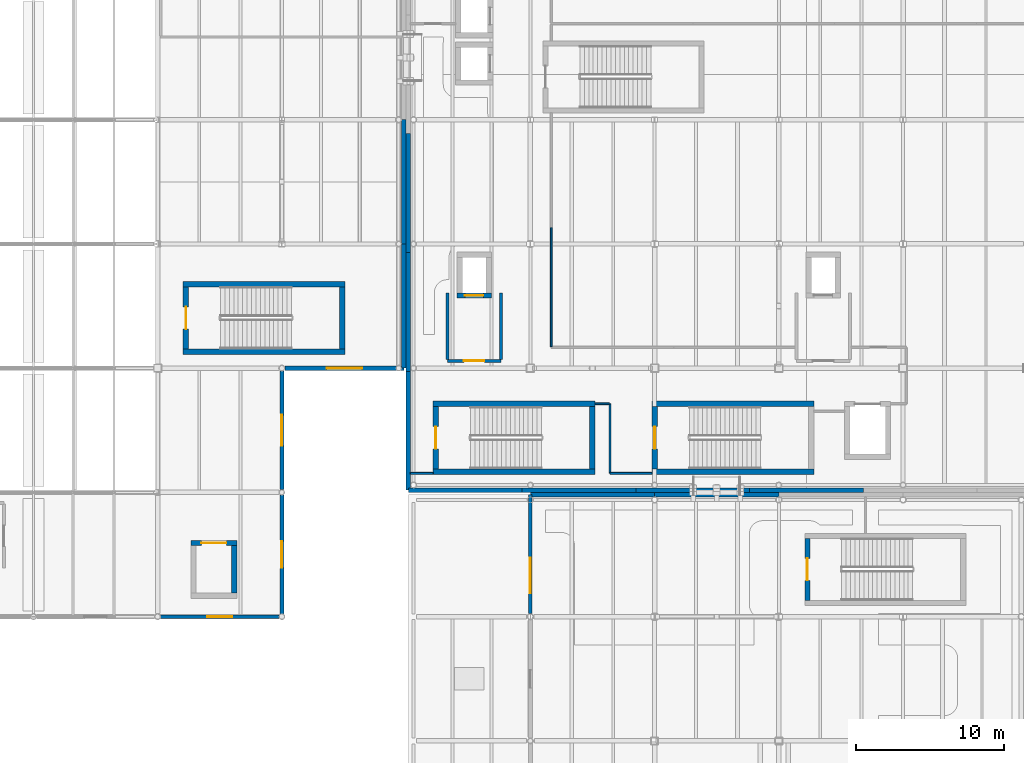
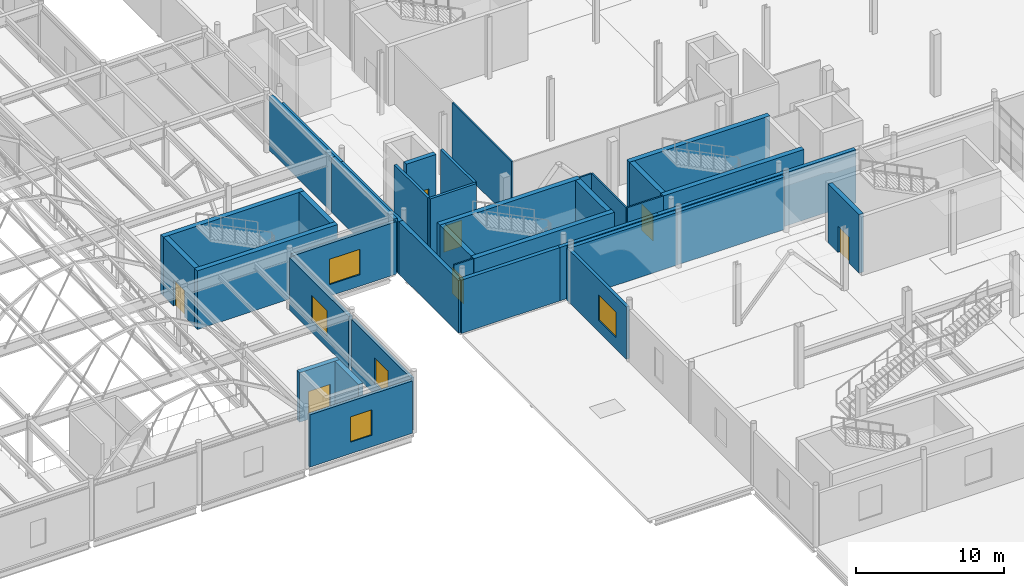
# One storey, part 65 of 103: 39 walls, 7 doors, 5 windows, 12 openings.
"""IFC4 building model written with IfcOpenShell, lengths in metres."""

from ifc_helpers import new_model, si_unit, direction, frame, frame_2d, origin, place, context, subcontext, project, spatial, rectangle, extrude, material, layer, layer_set, type_object, element, fill, save


model = new_model("IFC4")

# Units and contexts
model_context = context("Model", 3, precision=1e-05, world=origin(), true_north=direction((0.0, 1.0)))
body_context = subcontext(model_context, "Body", "Model", "MODEL_VIEW")
ifc_project = project(units=[si_unit("LENGTHUNIT", "METRE"), si_unit("AREAUNIT", "SQUARE_METRE"), si_unit("VOLUMEUNIT", "CUBIC_METRE"), si_unit("PLANEANGLEUNIT", "RADIAN"), si_unit("MASSUNIT", "GRAM", prefix="KILO"), si_unit("THERMODYNAMICTEMPERATUREUNIT", "KELVIN")], contexts=[model_context])

# Site, building, storey
site_placement = place(None, origin())
site = spatial("IfcSite", under=ifc_project, at=site_placement, CompositionType="ELEMENT")
building_placement = place(site_placement, origin())
building = spatial("IfcBuilding", under=site, at=building_placement, Name="Lustrewick Department Store", CompositionType="ELEMENT")
storey_placement = place(building_placement, frame((0.0, 0.0, 16.5)))
storey = spatial("IfcBuildingStorey", under=building, at=storey_placement, Name="L04", CompositionType="ELEMENT", Elevation=16.5)

# Wall, opening, window
ifc_material_1 = material(Name="Precast concrete C40", Category="concrete")
ifc_layer_1 = layer(ifc_material_1, 0.239990234375, Name="Precast concrete C40")
ifc_layer_set_1 = layer_set([ifc_layer_1], Name="Precast concrete C40")
wall_type_1 = type_object("IfcWallType", Name="EW01", PredefinedType="STANDARD", material=ifc_layer_set_1)
wall_1_placement = place(storey_placement, frame((92.597900390625, 42.0, 0.0), z_axis=(0.0, 0.0, 1.0), x_axis=(1.0, 0.0, 0.0)))
wall_1 = element("IfcWall", 1, at=wall_1_placement, inside=storey, type_object=wall_type_1, Name="L04 V2 Exterior Wall EW01", PredefinedType="STANDARD", context=body_context, shape_type="SweptSolid", body=[
    extrude(rectangle(XDim=8.004150390625, YDim=0.239990234375, at=frame_2d((4.001953125, 0.0))), origin(), (0.0, 0.0, 1.0), 4.320068359375),
])
opening_1_placement = place(wall_1_placement, frame((3.162109375, 0.0, 0.949951171875)))
opening_1 = element("IfcOpeningElement", 2, at=opening_1_placement, cuts=wall_1, Name="Opening WN09", PredefinedType="OPENING", context=body_context, shape_type="SweptSolid", body=[
    extrude(rectangle(XDim=1.679931640625, YDim=2.10009765625, at=frame_2d((0.83984375, 1.050048828125))), frame((0.0, 0.1298828125, 0.0), z_axis=(0.0, -1.0, 0.0), x_axis=(1.0, 0.0, 0.0)), (0.0, 0.0, 1.0), 0.260009765625),
])
ifc_material_2 = material(Name="Thermally broken Low-E triple-glazed window", Category="glass")
window_type_1 = type_object("IfcWindowType", Name="WN09", PartitioningType="DOUBLE_PANEL_VERTICAL", PredefinedType="WINDOW", material=ifc_material_2)
window_1_placement = place(opening_1_placement, origin())
window_1 = element("IfcWindow", 3, at=window_1_placement, inside=storey, type_object=window_type_1, Name="L04 Art Nouveau Window WN09", OverallHeight=2.10009765625, OverallWidth=1.679931640625, PartitioningType="SINGLE_PANEL", PredefinedType="WINDOW", context=body_context, shape_type="SweptSolid", body=[
    extrude(rectangle(XDim=1.679931640625, YDim=2.10009765625, at=frame_2d((0.83984375, 1.050048828125))), frame((0.0, 0.030029296875, 0.0), z_axis=(0.0, -1.0, 0.0), x_axis=(1.0, 0.0, 0.0)), (0.0, 0.0, 1.0), 0.06005859375),
])
fill(opening_1, window_1)

wall_2_placement = place(storey_placement, frame((117.60009765625, 50.25, 0.0), z_axis=(0.0, 0.0, 1.0), x_axis=(0.0, -1.0, 0.0)))
wall_2 = element("IfcWall", 4, at=wall_2_placement, inside=storey, type_object=wall_type_1, Name="L04 V3 Exterior Wall EW01", PredefinedType="STANDARD", context=body_context, shape_type="SweptSolid", body=[
    extrude(rectangle(XDim=8.052001953125, YDim=0.239990234375, at=frame_2d((4.02587890625, 0.0))), origin(), (0.0, 0.0, 1.0), 4.320068359375),
])
opening_2_placement = place(wall_2_placement, frame((4.275390625, 0.0, 0.949951171875)))
opening_2 = element("IfcOpeningElement", 5, at=opening_2_placement, cuts=wall_2, Name="Opening WN12", PredefinedType="OPENING", context=body_context, shape_type="SweptSolid", body=[
    extrude(rectangle(XDim=2.39990234375, YDim=2.10009765625, at=frame_2d((1.199951171875, 1.050048828125))), frame((0.0, 0.1298828125, 0.0), z_axis=(0.0, -1.0, 0.0), x_axis=(1.0, 0.0, 0.0)), (0.0, 0.0, 1.0), 0.260009765625),
])
window_type_2 = type_object("IfcWindowType", Name="WN12", PartitioningType="DOUBLE_PANEL_VERTICAL", PredefinedType="WINDOW", material=ifc_material_2)
window_2_placement = place(opening_2_placement, origin())
window_2 = element("IfcWindow", 6, at=window_2_placement, inside=storey, type_object=window_type_2, Name="L04 Art Nouveau Window WN12", OverallHeight=2.10009765625, OverallWidth=2.39990234375, PartitioningType="SINGLE_PANEL", PredefinedType="WINDOW", context=body_context, shape_type="SweptSolid", body=[
    extrude(rectangle(XDim=2.39990234375, YDim=2.10009765625, at=frame_2d((1.199951171875, 1.050048828125))), frame((0.0, 0.030029296875, 0.0), z_axis=(0.0, -1.0, 0.0), x_axis=(1.0, 0.0, 0.0)), (0.0, 0.0, 1.0), 0.06005859375),
])
fill(opening_2, window_2)

ifc_layer_2 = layer(ifc_material_1, 0.260009765625, Name="Precast concrete C40")
ifc_layer_set_2 = layer_set([ifc_layer_2], Name="Precast concrete C40")
wall_type_2 = type_object("IfcWallType", Name="EW02", PredefinedType="STANDARD", material=ifc_layer_set_2)
wall_3_placement = place(storey_placement, frame((100.800048828125, 42.197998046875, 0.0), z_axis=(0.0, 0.0, 1.0), x_axis=(0.0, 1.0, 0.0)))
wall_3 = element("IfcWall", 7, at=wall_3_placement, inside=storey, type_object=wall_type_2, Name="L04 V2 Exterior Wall EW02", PredefinedType="STANDARD", context=body_context, shape_type="SweptSolid", body=[
    extrude(rectangle(XDim=8.0185546875, YDim=0.260009765625, at=frame_2d((4.00927734375, 0.0))), origin(), (0.0, 0.0, 1.0), 4.320068359375),
])
opening_3_placement = place(wall_3_placement, frame((3.109375, 0.0, 0.949951171875)))
opening_3 = element("IfcOpeningElement", 8, at=opening_3_placement, cuts=wall_3, Name="Opening WN10", PredefinedType="OPENING", context=body_context, shape_type="SweptSolid", body=[
    extrude(rectangle(XDim=1.800048828125, YDim=2.10009765625, at=frame_2d((0.89990234375, 1.050048828125))), frame((0.0, 0.14013671875, 0.0), z_axis=(0.0, -1.0, 0.0), x_axis=(1.0, 0.0, 0.0)), (0.0, 0.0, 1.0), 0.280029296875),
])
window_type_3 = type_object("IfcWindowType", Name="WN10", PartitioningType="DOUBLE_PANEL_VERTICAL", PredefinedType="WINDOW", material=ifc_material_2)
window_3_placement = place(opening_3_placement, origin())
window_3 = element("IfcWindow", 9, at=window_3_placement, inside=storey, type_object=window_type_3, Name="L04 Art Nouveau Window WN10", OverallHeight=2.10009765625, OverallWidth=1.800048828125, PartitioningType="SINGLE_PANEL", PredefinedType="WINDOW", context=body_context, shape_type="SweptSolid", body=[
    extrude(rectangle(XDim=1.800048828125, YDim=2.10009765625, at=frame_2d((0.89990234375, 1.050048828125))), frame((0.0, 0.030029296875, 0.0), z_axis=(0.0, -1.0, 0.0), x_axis=(1.0, 0.0, 0.0)), (0.0, 0.0, 1.0), 0.06005859375),
])
fill(opening_3, window_3)

ifc_layer_3 = layer(ifc_material_1, 0.280029296875, Name="Precast concrete C40")
ifc_layer_set_3 = layer_set([ifc_layer_3], Name="Precast concrete C40")
wall_type_3 = type_object("IfcWallType", Name="EW03", PredefinedType="STANDARD", material=ifc_layer_set_3)
wall_4_placement = place(storey_placement, frame((100.800048828125, 50.58349609375, 0.0), z_axis=(0.0, 0.0, 1.0), x_axis=(0.0, 1.0, 0.0)))
wall_4 = element("IfcWall", 10, at=wall_4_placement, inside=storey, type_object=wall_type_3, Name="L04 V2 Exterior Wall EW03", PredefinedType="STANDARD", context=body_context, shape_type="SweptSolid", body=[
    extrude(rectangle(XDim=8.0185546875, YDim=0.280029296875, at=frame_2d((4.00927734375, 0.0))), origin(), (0.0, 0.0, 1.0), 4.3310546875),
])
opening_4_placement = place(wall_4_placement, frame((2.959228515625, 0.0, 0.949951171875)))
opening_4 = element("IfcOpeningElement", 11, at=opening_4_placement, cuts=wall_4, Name="Opening WN11", PredefinedType="OPENING", context=body_context, shape_type="SweptSolid", body=[
    extrude(rectangle(XDim=2.10009765625, YDim=2.10009765625, at=frame_2d((1.050048828125, 1.050048828125))), frame((0.0, 0.14990234375, 0.0), z_axis=(0.0, -1.0, 0.0), x_axis=(1.0, 0.0, 0.0)), (0.0, 0.0, 1.0), 0.300048828125),
])
window_type_4 = type_object("IfcWindowType", Name="WN11", PartitioningType="DOUBLE_PANEL_VERTICAL", PredefinedType="WINDOW", material=ifc_material_2)
window_4_placement = place(opening_4_placement, origin())
window_4 = element("IfcWindow", 12, at=window_4_placement, inside=storey, type_object=window_type_4, Name="L04 Art Nouveau Window WN11", OverallHeight=2.10009765625, OverallWidth=2.10009765625, PartitioningType="SINGLE_PANEL", PredefinedType="WINDOW", context=body_context, shape_type="SweptSolid", body=[
    extrude(rectangle(XDim=2.10009765625, YDim=2.10009765625, at=frame_2d((1.050048828125, 1.050048828125))), frame((0.0, 0.030029296875, 0.0), z_axis=(0.0, -1.0, 0.0), x_axis=(1.0, 0.0, 0.0)), (0.0, 0.0, 1.0), 0.06005859375),
])
fill(opening_4, window_4)

wall_5_placement = place(storey_placement, frame((100.998046875, 58.800048828125, 0.0), z_axis=(0.0, 0.0, 1.0), x_axis=(1.0, 0.0, 0.0)))
wall_5 = element("IfcWall", 13, at=wall_5_placement, inside=storey, type_object=wall_type_3, Name="L04 V2 Exterior Wall EW03", PredefinedType="STANDARD", context=body_context, shape_type="SweptSolid", body=[
    extrude(rectangle(XDim=8.052001953125, YDim=0.280029296875, at=frame_2d((4.02587890625, 0.0))), origin(), (0.0, 0.0, 1.0), 4.3310546875),
])
opening_5_placement = place(wall_5_placement, frame((2.825927734375, 0.0, 0.949951171875)))
opening_5 = element("IfcOpeningElement", 14, at=opening_5_placement, cuts=wall_5, Name="Opening WN12", PredefinedType="OPENING", context=body_context, shape_type="SweptSolid", body=[
    extrude(rectangle(XDim=2.39990234375, YDim=2.10009765625, at=frame_2d((1.199951171875, 1.050048828125))), frame((0.0, 0.14990234375, 0.0), z_axis=(0.0, -1.0, 0.0), x_axis=(1.0, 0.0, 0.0)), (0.0, 0.0, 1.0), 0.300048828125),
])
window_5_placement = place(opening_5_placement, origin())
window_5 = element("IfcWindow", 15, at=window_5_placement, inside=storey, type_object=window_type_2, Name="L04 Art Nouveau Window WN12", OverallHeight=2.10009765625, OverallWidth=2.39990234375, PartitioningType="SINGLE_PANEL", PredefinedType="WINDOW", context=body_context, shape_type="SweptSolid", body=[
    extrude(rectangle(XDim=2.39990234375, YDim=2.10009765625, at=frame_2d((1.199951171875, 1.050048828125))), frame((0.0, 0.030029296875, 0.0), z_axis=(0.0, -1.0, 0.0), x_axis=(1.0, 0.0, 0.0)), (0.0, 0.0, 1.0), 0.06005859375),
])
fill(opening_5, window_5)

# Walls
ifc_layer_4 = layer(ifc_material_1, 0.300048828125, Name="Precast concrete C40")
ifc_layer_set_4 = layer_set([ifc_layer_4], Name="Precast concrete C40")
wall_type_4 = type_object("IfcWallType", Name="EW04", PredefinedType="STANDARD", material=ifc_layer_set_4)
wall_6_placement = place(storey_placement, frame((109.050048828125, 58.800048828125, 0.0), z_axis=(0.0, 0.0, 1.0), x_axis=(0.0, 1.0, 0.0)))
element("IfcWall", 16, at=wall_6_placement, inside=storey, type_object=wall_type_4, Name="L04 V2 Exterior Wall EW04", PredefinedType="STANDARD", context=body_context, shape_type="SweptSolid", body=[
    extrude(rectangle(XDim=8.39990234375, YDim=0.300048828125, at=frame_2d((4.199951171875, 0.0))), origin(), (0.0, 0.0, 1.0), 4.487060546875),
])
wall_7_placement = place(storey_placement, frame((109.050048828125, 67.199951171875, 0.0), z_axis=(0.0, 0.0, 1.0), x_axis=(0.0, 1.0, 0.0)))
element("IfcWall", 17, at=wall_7_placement, inside=storey, type_object=wall_type_4, Name="L04 V2 Exterior Wall EW04", PredefinedType="STANDARD", context=body_context, shape_type="SweptSolid", body=[
    extrude(rectangle(XDim=8.400146484375, YDim=0.300048828125, at=frame_2d((4.2001953125, 0.0))), origin(), (0.0, 0.0, 1.0), 4.487060546875),
])
for number, where, z_axis, x_axis, name in (
    (18, (134.39990234375, 50.25, 0.0), (0.0, 0.0, 1.0), (-1.0, 0.0, 0.0), "L04 V3 Exterior Wall EW04"),
    (19, (126.0, 50.25, 0.0), (0.0, 0.0, 1.0), (-1.0, 0.0, 0.0), "L04 V3 Exterior Wall EW04"),
):
    element("IfcWall", number, at=place(storey_placement, frame(where, z_axis=z_axis, x_axis=x_axis)), inside=storey, type_object=wall_type_4, Name=name, PredefinedType="STANDARD", context=body_context, shape_type="SweptSolid", body=[
        extrude(rectangle(XDim=8.39990234375, YDim=0.300048828125, at=frame_2d((4.199951171875, 0.0))), origin(), (0.0, 0.0, 1.0), 4.3310546875),
    ])
wall_8_placement = place(storey_placement, frame((109.35009765625, 50.550048828125, 0.0), z_axis=(0.0, 0.0, 1.0), x_axis=(1.0, 0.0, 0.0)))
element("IfcWall", 20, at=wall_8_placement, inside=storey, type_object=wall_type_4, Name="L04 V4 Exterior Wall EW04", PredefinedType="STANDARD", context=body_context, shape_type="SweptSolid", body=[
    extrude(rectangle(XDim=7.69287109375, YDim=0.300048828125, at=frame_2d((3.846435546875, 0.0))), origin(), (0.0, 0.0, 1.0), 4.39697265625),
])
wall_9_placement = place(storey_placement, frame((117.04296875, 50.550048828125, 0.0), z_axis=(0.0, 0.0, 1.0), x_axis=(1.0, 0.0, 0.0)))
element("IfcWall", 21, at=wall_9_placement, inside=storey, type_object=wall_type_4, Name="L04 V4 Exterior Wall EW04", PredefinedType="STANDARD", context=body_context, shape_type="SweptSolid", body=[
    extrude(rectangle(XDim=7.692626953125, YDim=0.300048828125, at=frame_2d((3.84619140625, 0.0))), origin(), (0.0, 0.0, 1.0), 4.39697265625),
])
wall_10_placement = place(storey_placement, frame((124.735595703125, 50.550048828125, 0.0), z_axis=(0.0, 0.0, 1.0), x_axis=(1.0, 0.0, 0.0)))
element("IfcWall", 22, at=wall_10_placement, inside=storey, type_object=wall_type_4, Name="L04 V4 Exterior Wall EW04", PredefinedType="STANDARD", context=body_context, shape_type="SweptSolid", body=[
    extrude(rectangle(XDim=7.693115234375, YDim=0.300048828125, at=frame_2d((3.8466796875, 0.0))), origin(), (0.0, 0.0, 1.0), 4.39697265625),
])
wall_11_placement = place(storey_placement, frame((132.4287109375, 50.550048828125, 0.0), z_axis=(0.0, 0.0, 1.0), x_axis=(1.0, 0.0, 0.0)))
element("IfcWall", 23, at=wall_11_placement, inside=storey, type_object=wall_type_4, Name="L04 V4 Exterior Wall EW04", PredefinedType="STANDARD", context=body_context, shape_type="SweptSolid", body=[
    extrude(rectangle(XDim=7.692626953125, YDim=0.300048828125, at=frame_2d((3.84619140625, 0.0))), origin(), (0.0, 0.0, 1.0), 4.39697265625),
])
for number, where, z_axis, x_axis, name in (
    (24, (109.35009765625, 74.656982421875, 0.0), (0.0, 0.0, 1.0), (0.0, -1.0, 0.0), "L04 V4 Exterior Wall EW04"),
    (25, (109.35009765625, 66.621337890625, 0.0), (0.0, 0.0, 1.0), (0.0, -1.0, 0.0), "L04 V4 Exterior Wall EW04"),
    (26, (109.35009765625, 58.585693359375, 0.0), (0.0, 0.0, 1.0), (0.0, -1.0, 0.0), "L04 V4 Exterior Wall EW04"),
):
    element("IfcWall", number, at=place(storey_placement, frame(where, z_axis=z_axis, x_axis=x_axis)), inside=storey, type_object=wall_type_4, Name=name, PredefinedType="STANDARD", context=body_context, shape_type="SweptSolid", body=[
        extrude(rectangle(XDim=8.03564453125, YDim=0.300048828125, at=frame_2d((4.017822265625, 0.0))), origin(), (0.0, 0.0, 1.0), 4.3310546875),
    ])

# Wall, opening, door
ifc_material_3 = material(Name="Autoclaved aerated concrete blockwork and fire board", Category="masonry")
ifc_layer_5 = layer(ifc_material_3, 0.205078125, Name="Autoclaved aerated concrete blockwork and fire board")
ifc_layer_set_5 = layer_set([ifc_layer_5], Name="Autoclaved aerated concrete blockwork and fire board")
wall_type_5 = type_object("IfcWallType", Name="PW02", PredefinedType="PARTITIONING", material=ifc_layer_set_5)
wall_12_placement = place(storey_placement, frame((112.0, 59.300048828125, 0.0), z_axis=(0.0, 0.0, 1.0), x_axis=(1.0, 0.0, 0.0)))
wall_12 = element("IfcWall", 27, at=wall_12_placement, inside=storey, type_object=wall_type_5, Name="L04 Firefighting Lift Lobby FFL-04 PW02", PredefinedType="PARTITIONING", context=body_context, shape_type="SweptSolid", body=[
    extrude(rectangle(XDim=3.60009765625, YDim=0.205078125, at=frame_2d((1.800048828125, 0.0))), origin(), (0.0, 0.0, 1.0), 4.844970703125),
])
opening_6_placement = place(wall_12_placement, frame((1.10009765625, 0.0, 0.0)))
opening_6 = element("IfcOpeningElement", 28, at=opening_6_placement, cuts=wall_12, Name="Opening D-L04-050", PredefinedType="OPENING", context=body_context, shape_type="SweptSolid", body=[
    extrude(rectangle(XDim=1.39990234375, YDim=2.14990234375, at=frame_2d((0.699951171875, 1.074951171875))), frame((0.0, 0.112548828125, 0.0), z_axis=(0.0, -1.0, 0.0), x_axis=(1.0, 0.0, 0.0)), (0.0, 0.0, 1.0), 0.22509765625),
])
ifc_material_4 = material(Name="Steel fire door Class B EI 60", Category="steel")
door_type_1 = type_object("IfcDoorType", Name="DT-08", OperationType="NOTDEFINED", PredefinedType="DOOR", material=ifc_material_4)
door_1_placement = place(opening_6_placement, origin())
door_1 = element("IfcDoor", 29, at=door_1_placement, inside=storey, type_object=door_type_1, Name="L04 Firefighting Lift Lobby FFL-04 Door D-L04-050", OperationType="SINGLE_SWING_RIGHT", OverallHeight=2.14990234375, OverallWidth=1.39990234375, PredefinedType="DOOR", context=body_context, shape_type="SweptSolid", body=[
    extrude(rectangle(XDim=1.39990234375, YDim=2.14990234375, at=frame_2d((0.699951171875, 1.074951171875))), frame((0.0, 0.02490234375, 0.0), z_axis=(0.0, -1.0, 0.0), x_axis=(1.0, 0.0, 0.0)), (0.0, 0.0, 1.0), 0.050048828125),
])
fill(opening_6, door_1)

# Walls
for number, where, z_axis, x_axis, name in (
    (30, (115.60009765625, 59.3974609375, 0.0), (0.0, 0.0, 1.0), (0.0, 1.0, 0.0), "L04 Firefighting Lift Lobby FFL-04 PW02"),
    (31, (112.0, 63.89990234375, 0.0), (0.0, 0.0, 1.0), (0.0, -1.0, 0.0), "L04 Firefighting Lift Lobby FFL-04 PW02"),
):
    element("IfcWall", number, at=place(storey_placement, frame(where, z_axis=z_axis, x_axis=x_axis)), inside=storey, type_object=wall_type_5, Name=name, PredefinedType="PARTITIONING", context=body_context, shape_type="SweptSolid", body=[
        extrude(rectangle(XDim=4.50244140625, YDim=0.205078125, at=frame_2d((2.251220703125, 0.0))), origin(), (0.0, 0.0, 1.0), 4.844970703125),
    ])
ifc_material_5 = material(Name="Acoustic gypsum stud office partition", Category="gypsum")
ifc_layer_6 = layer(ifc_material_5, 0.1201171875, Name="Acoustic gypsum stud office partition")
ifc_layer_set_6 = layer_set([ifc_layer_6], Name="Acoustic gypsum stud office partition")
wall_type_6 = type_object("IfcWallType", Name="PW07", PredefinedType="PARTITIONING", material=ifc_layer_set_6)
wall_13_placement = place(storey_placement, frame((119.010009765625, 68.300048828125, 0.0), z_axis=(0.0, 0.0, 1.0), x_axis=(0.0, -1.0, 0.0)))
element("IfcWall", 32, at=wall_13_placement, inside=storey, type_object=wall_type_6, Name="L04 Store Buying Office PW07", PredefinedType="PARTITIONING", context=body_context, shape_type="SweptSolid", body=[
    extrude(rectangle(XDim=8.03515625, YDim=0.1201171875, at=frame_2d((4.017578125, 0.0))), origin(), (0.0, 0.0, 1.0), 4.844970703125),
])
wall_14_placement = place(storey_placement, frame((122.989990234375, 51.699951171875, 0.0), z_axis=(0.0, 0.0, 1.0), x_axis=(0.0, 1.0, 0.0)))
element("IfcWall", 33, at=wall_14_placement, inside=storey, type_object=wall_type_6, Name="L04 Store Buying Office PW07", PredefinedType="PARTITIONING", context=body_context, shape_type="SweptSolid", body=[
    extrude(rectangle(XDim=4.68994140625, YDim=0.1201171875, at=frame_2d((2.344970703125, 0.0))), origin(), (0.0, 0.0, 1.0), 4.844970703125),
])
wall_15_placement = place(storey_placement, frame((122.93505859375, 56.389892578125, 0.0), z_axis=(0.0, 0.0, 1.0), x_axis=(-1.0, 0.0, 0.0)))
element("IfcWall", 34, at=wall_15_placement, inside=storey, type_object=wall_type_6, Name="L04 Store Buying Office PW07", PredefinedType="PARTITIONING", context=body_context, shape_type="SweptSolid", body=[
    extrude(rectangle(XDim=0.955078125, YDim=0.1201171875, at=frame_2d((0.4775390625, 0.0))), origin(), (0.0, 0.0, 1.0), 4.844970703125),
])
wall_16_placement = place(storey_placement, frame((125.820068359375, 51.68994140625, 0.0), z_axis=(0.0, 0.0, 1.0), x_axis=(-1.0, 0.0, 0.0)))
element("IfcWall", 35, at=wall_16_placement, inside=storey, type_object=wall_type_6, Name="L04 Store Buying Office PW07", PredefinedType="PARTITIONING", context=body_context, shape_type="SweptSolid", body=[
    extrude(rectangle(XDim=2.820068359375, YDim=0.1201171875, at=frame_2d((1.41015625, 0.0))), origin(), (0.0, 0.0, 1.0), 4.844970703125),
])
wall_17_placement = place(storey_placement, frame((111.02001953125, 51.68994140625, 0.0), z_axis=(0.0, 0.0, 1.0), x_axis=(-1.0, 0.0, 0.0)))
element("IfcWall", 36, at=wall_17_placement, inside=storey, type_object=wall_type_6, Name="L04 Store Buying Office PW07", PredefinedType="PARTITIONING", context=body_context, shape_type="SweptSolid", body=[
    extrude(rectangle(XDim=1.52490234375, YDim=0.1201171875, at=frame_2d((0.762451171875, 0.0))), origin(), (0.0, 0.0, 1.0), 4.844970703125),
])
ifc_material_6 = material(Name="Concrete C40", Category="concrete")
ifc_layer_7 = layer(ifc_material_6, 0.3798828125, Name="Concrete C40")
ifc_layer_set_7 = layer_set([ifc_layer_7], Name="Concrete C40")
wall_type_7 = type_object("IfcWallType", Name="SW03", PredefinedType="SHEAR", material=ifc_layer_set_7)
wall_18_placement = place(storey_placement, frame((94.1201171875, 59.909912109375, 0.0), z_axis=(0.0, 0.0, 1.0), x_axis=(1.0, 0.0, 0.0)))
element("IfcWall", 37, at=wall_18_placement, inside=storey, type_object=wall_type_7, Name="L04 Stair Core ST05 Shear Wall S", PredefinedType="SHEAR", context=body_context, shape_type="SweptSolid", body=[
    extrude(rectangle(XDim=10.9599609375, YDim=0.3798828125, at=frame_2d((5.47998046875, 0.0))), origin(), (0.0, 0.0, 1.0), 4.844970703125),
])
wall_19_placement = place(storey_placement, frame((104.889892578125, 60.10009765625, 0.0), z_axis=(0.0, 0.0, 1.0), x_axis=(0.0, 1.0, 0.0)))
element("IfcWall", 38, at=wall_19_placement, inside=storey, type_object=wall_type_7, Name="L04 Stair Core ST05 Shear Wall E", PredefinedType="SHEAR", context=body_context, shape_type="SweptSolid", body=[
    extrude(rectangle(XDim=4.199951171875, YDim=0.3798828125, at=frame_2d((2.10009765625, 0.0))), origin(), (0.0, 0.0, 1.0), 4.844970703125),
])
wall_20_placement = place(storey_placement, frame((105.080078125, 64.489990234375, 0.0), z_axis=(0.0, 0.0, 1.0), x_axis=(-1.0, 0.0, 0.0)))
element("IfcWall", 39, at=wall_20_placement, inside=storey, type_object=wall_type_7, Name="L04 Stair Core ST05 Shear Wall N", PredefinedType="SHEAR", context=body_context, shape_type="SweptSolid", body=[
    extrude(rectangle(XDim=10.9599609375, YDim=0.3798828125, at=frame_2d((5.47998046875, 0.0))), origin(), (0.0, 0.0, 1.0), 4.844970703125),
])

# Wall, opening, door
wall_21_placement = place(storey_placement, frame((94.31005859375, 64.300048828125, 0.0), z_axis=(0.0, 0.0, 1.0), x_axis=(0.0, -1.0, 0.0)))
wall_21 = element("IfcWall", 40, at=wall_21_placement, inside=storey, type_object=wall_type_7, Name="L04 Stair Core ST05 Shear Wall W", PredefinedType="SHEAR", context=body_context, shape_type="SweptSolid", body=[
    extrude(rectangle(XDim=4.199951171875, YDim=0.3798828125, at=frame_2d((2.10009765625, 0.0))), origin(), (0.0, 0.0, 1.0), 4.844970703125),
])
opening_7_placement = place(wall_21_placement, frame((1.35009765625, 0.0, 0.0)))
opening_7 = element("IfcOpeningElement", 41, at=opening_7_placement, cuts=wall_21, Name="Opening D-L04-005", PredefinedType="OPENING", context=body_context, shape_type="SweptSolid", body=[
    extrude(rectangle(XDim=1.5, YDim=2.14990234375, at=frame_2d((0.75, 1.074951171875))), frame((0.0, 0.199951171875, 0.0), z_axis=(0.0, -1.0, 0.0), x_axis=(1.0, 0.0, 0.0)), (0.0, 0.0, 1.0), 0.39990234375),
])
door_type_2 = type_object("IfcDoorType", Name="DT-07", OperationType="NOTDEFINED", PredefinedType="DOOR", material=ifc_material_4)
door_2_placement = place(opening_7_placement, origin())
door_2 = element("IfcDoor", 42, at=door_2_placement, inside=storey, type_object=door_type_2, Name="L04 Smoke-Proof Stair ST05 Fire Door", OperationType="SINGLE_SWING_RIGHT", OverallHeight=2.14990234375, OverallWidth=1.5, PredefinedType="DOOR", context=body_context, shape_type="SweptSolid", body=[
    extrude(rectangle(XDim=1.5, YDim=2.14990234375, at=frame_2d((0.75, 1.074951171875))), frame((0.0, 0.02490234375, 0.0), z_axis=(0.0, -1.0, 0.0), x_axis=(1.0, 0.0, 0.0)), (0.0, 0.0, 1.0), 0.050048828125),
])
fill(opening_7, door_2)

# Walls
wall_22_placement = place(storey_placement, frame((111.02001953125, 51.81005859375, 0.0), z_axis=(0.0, 0.0, 1.0), x_axis=(1.0, 0.0, 0.0)))
element("IfcWall", 43, at=wall_22_placement, inside=storey, type_object=wall_type_7, Name="L04 Stair Core ST09 Shear Wall S", PredefinedType="SHEAR", context=body_context, shape_type="SweptSolid", body=[
    extrude(rectangle(XDim=10.9599609375, YDim=0.3798828125, at=frame_2d((5.47998046875, 0.0))), origin(), (0.0, 0.0, 1.0), 4.844970703125),
])
wall_23_placement = place(storey_placement, frame((121.7900390625, 52.0, 0.0), z_axis=(0.0, 0.0, 1.0), x_axis=(0.0, 1.0, 0.0)))
element("IfcWall", 44, at=wall_23_placement, inside=storey, type_object=wall_type_7, Name="L04 Stair Core ST09 Shear Wall E", PredefinedType="SHEAR", context=body_context, shape_type="SweptSolid", body=[
    extrude(rectangle(XDim=4.199951171875, YDim=0.3798828125, at=frame_2d((2.10009765625, 0.0))), origin(), (0.0, 0.0, 1.0), 4.844970703125),
])
wall_24_placement = place(storey_placement, frame((121.97998046875, 56.389892578125, 0.0), z_axis=(0.0, 0.0, 1.0), x_axis=(-1.0, 0.0, 0.0)))
element("IfcWall", 45, at=wall_24_placement, inside=storey, type_object=wall_type_7, Name="L04 Stair Core ST09 Shear Wall N", PredefinedType="SHEAR", context=body_context, shape_type="SweptSolid", body=[
    extrude(rectangle(XDim=10.9599609375, YDim=0.3798828125, at=frame_2d((5.47998046875, 0.0))), origin(), (0.0, 0.0, 1.0), 4.844970703125),
])

# Wall, opening, door
wall_25_placement = place(storey_placement, frame((111.2099609375, 56.199951171875, 0.0), z_axis=(0.0, 0.0, 1.0), x_axis=(0.0, -1.0, 0.0)))
wall_25 = element("IfcWall", 46, at=wall_25_placement, inside=storey, type_object=wall_type_7, Name="L04 Stair Core ST09 Shear Wall W", PredefinedType="SHEAR", context=body_context, shape_type="SweptSolid", body=[
    extrude(rectangle(XDim=4.199951171875, YDim=0.3798828125, at=frame_2d((2.10009765625, 0.0))), origin(), (0.0, 0.0, 1.0), 4.844970703125),
])
opening_8_placement = place(wall_25_placement, frame((1.35009765625, 0.0, 0.0)))
opening_8 = element("IfcOpeningElement", 47, at=opening_8_placement, cuts=wall_25, Name="Opening D-L04-009", PredefinedType="OPENING", context=body_context, shape_type="SweptSolid", body=[
    extrude(rectangle(XDim=1.5, YDim=2.14990234375, at=frame_2d((0.75, 1.074951171875))), frame((0.0, 0.199951171875, 0.0), z_axis=(0.0, -1.0, 0.0), x_axis=(1.0, 0.0, 0.0)), (0.0, 0.0, 1.0), 0.39990234375),
])
door_3_placement = place(opening_8_placement, origin())
door_3 = element("IfcDoor", 48, at=door_3_placement, inside=storey, type_object=door_type_2, Name="L04 Smoke-Proof Stair ST09 Fire Door", OperationType="SINGLE_SWING_RIGHT", OverallHeight=2.14990234375, OverallWidth=1.5, PredefinedType="DOOR", context=body_context, shape_type="SweptSolid", body=[
    extrude(rectangle(XDim=1.5, YDim=2.14990234375, at=frame_2d((0.75, 1.074951171875))), frame((0.0, 0.02490234375, 0.0), z_axis=(0.0, -1.0, 0.0), x_axis=(1.0, 0.0, 0.0)), (0.0, 0.0, 1.0), 0.050048828125),
])
fill(opening_8, door_3)

# Walls
for number, where, z_axis, x_axis, name in (
    (49, (125.820068359375, 51.81005859375, 0.0), (0.0, 0.0, 1.0), (1.0, 0.0, 0.0), "L04 Stair Core ST11 Shear Wall S"),
    (50, (136.780029296875, 56.389892578125, 0.0), (0.0, 0.0, 1.0), (-1.0, 0.0, 0.0), "L04 Stair Core ST11 Shear Wall N"),
):
    element("IfcWall", number, at=place(storey_placement, frame(where, z_axis=z_axis, x_axis=x_axis)), inside=storey, type_object=wall_type_7, Name=name, PredefinedType="SHEAR", context=body_context, shape_type="SweptSolid", body=[
        extrude(rectangle(XDim=10.9599609375, YDim=0.3798828125, at=frame_2d((5.47998046875, 0.0))), origin(), (0.0, 0.0, 1.0), 4.844970703125),
    ])

# Wall, opening, door
wall_26_placement = place(storey_placement, frame((126.010009765625, 56.199951171875, 0.0), z_axis=(0.0, 0.0, 1.0), x_axis=(0.0, -1.0, 0.0)))
wall_26 = element("IfcWall", 51, at=wall_26_placement, inside=storey, type_object=wall_type_7, Name="L04 Stair Core ST11 Shear Wall W", PredefinedType="SHEAR", context=body_context, shape_type="SweptSolid", body=[
    extrude(rectangle(XDim=4.199951171875, YDim=0.3798828125, at=frame_2d((2.10009765625, 0.0))), origin(), (0.0, 0.0, 1.0), 4.844970703125),
])
opening_9_placement = place(wall_26_placement, frame((1.35009765625, 0.0, 0.0)))
opening_9 = element("IfcOpeningElement", 52, at=opening_9_placement, cuts=wall_26, Name="Opening D-L04-011", PredefinedType="OPENING", context=body_context, shape_type="SweptSolid", body=[
    extrude(rectangle(XDim=1.5, YDim=2.14990234375, at=frame_2d((0.75, 1.074951171875))), frame((0.0, 0.199951171875, 0.0), z_axis=(0.0, -1.0, 0.0), x_axis=(1.0, 0.0, 0.0)), (0.0, 0.0, 1.0), 0.39990234375),
])
door_4_placement = place(opening_9_placement, origin())
door_4 = element("IfcDoor", 53, at=door_4_placement, inside=storey, type_object=door_type_2, Name="L04 Smoke-Proof Stair ST11 Fire Door", OperationType="SINGLE_SWING_RIGHT", OverallHeight=2.14990234375, OverallWidth=1.5, PredefinedType="DOOR", context=body_context, shape_type="SweptSolid", body=[
    extrude(rectangle(XDim=1.5, YDim=2.14990234375, at=frame_2d((0.75, 1.074951171875))), frame((0.0, 0.02490234375, 0.0), z_axis=(0.0, -1.0, 0.0), x_axis=(1.0, 0.0, 0.0)), (0.0, 0.0, 1.0), 0.050048828125),
])
fill(opening_9, door_4)

ifc_layer_8 = layer(ifc_material_6, 0.360107421875, Name="Concrete C40")
ifc_layer_set_8 = layer_set([ifc_layer_8], Name="Concrete C40")
wall_type_8 = type_object("IfcWallType", Name="SW04", PredefinedType="SHEAR", material=ifc_layer_set_8)
wall_27_placement = place(storey_placement, frame((112.639892578125, 63.719970703125, 0.0), z_axis=(0.0, 0.0, 1.0), x_axis=(1.0, 0.0, 0.0)))
wall_27 = element("IfcWall", 54, at=wall_27_placement, inside=storey, type_object=wall_type_8, Name="L04 Lift FFL-04 Shaft Wall -Y", PredefinedType="SHEAR", context=body_context, shape_type="SweptSolid", body=[
    extrude(rectangle(XDim=2.320068359375, YDim=0.360107421875, at=frame_2d((1.16015625, 0.0))), origin(), (0.0, 0.0, 1.0), 4.844970703125),
])
opening_10_placement = place(wall_27_placement, frame((0.534912109375, 0.0, 0.0)))
opening_10 = element("IfcOpeningElement", 55, at=opening_10_placement, cuts=wall_27, Name="Opening LD-L04-04", PredefinedType="OPENING", context=body_context, shape_type="SweptSolid", body=[
    extrude(rectangle(XDim=1.25, YDim=2.199951171875, at=frame_2d((0.625, 1.10009765625))), frame((0.0, 0.18994140625, 0.0), z_axis=(0.0, -1.0, 0.0), x_axis=(1.0, 0.0, 0.0)), (0.0, 0.0, 1.0), 0.380126953125),
])
ifc_material_7 = material(Name="Stainless steel firefighting lift landing door EI 90", Category="steel")
door_type_3 = type_object("IfcDoorType", Name="DT-15", OperationType="NOTDEFINED", PredefinedType="DOOR", material=ifc_material_7)
door_5_placement = place(opening_10_placement, frame((1.25, 0.0, 0.0), z_axis=(0.0, 0.0, 1.0), x_axis=(-1.0, 0.0, 0.0)))
door_5 = element("IfcDoor", 56, at=door_5_placement, inside=storey, type_object=door_type_3, Name="L04 Lift FFL-04 Sliding Landing Door LD-L04-04", OperationType="DOUBLE_DOOR_SLIDING", OverallHeight=2.199951171875, OverallWidth=1.25, PredefinedType="DOOR", context=body_context, shape_type="SweptSolid", body=[
    extrude(rectangle(XDim=1.25, YDim=2.199951171875, at=frame_2d((0.625, 1.10009765625))), frame((0.0, 0.02490234375, 0.0), z_axis=(0.0, -1.0, 0.0), x_axis=(1.0, 0.0, 0.0)), (0.0, 0.0, 1.0), 0.050048828125),
])
fill(opening_10, door_5)

# Wall
wall_28_placement = place(storey_placement, frame((97.580078125, 43.60009765625, 0.0), z_axis=(0.0, 0.0, 1.0), x_axis=(0.0, 1.0, 0.0)))
element("IfcWall", 57, at=wall_28_placement, inside=storey, type_object=wall_type_8, Name="L04 Lift GL-02 Shaft Wall +X", PredefinedType="SHEAR", context=body_context, shape_type="SweptSolid", body=[
    extrude(rectangle(XDim=3.199951171875, YDim=0.360107421875, at=frame_2d((1.60009765625, 0.0))), origin(), (0.0, 0.0, 1.0), 4.094970703125),
])

# Wall, opening, door
wall_29_placement = place(storey_placement, frame((97.760009765625, 46.97998046875, 0.0), z_axis=(0.0, 0.0, 1.0), x_axis=(-1.0, 0.0, 0.0)))
wall_29 = element("IfcWall", 58, at=wall_29_placement, inside=storey, type_object=wall_type_8, Name="L04 Lift GL-02 Shaft Wall +Y", PredefinedType="SHEAR", context=body_context, shape_type="SweptSolid", body=[
    extrude(rectangle(XDim=3.1201171875, YDim=0.360107421875, at=frame_2d((1.56005859375, 0.0))), origin(), (0.0, 0.0, 1.0), 4.094970703125),
])
opening_11_placement = place(wall_29_placement, frame((0.7099609375, 0.0, 0.0)))
opening_11 = element("IfcOpeningElement", 59, at=opening_11_placement, cuts=wall_29, Name="Opening LD-L04-14", PredefinedType="OPENING", context=body_context, shape_type="SweptSolid", body=[
    extrude(rectangle(XDim=1.699951171875, YDim=2.300048828125, at=frame_2d((0.85009765625, 1.14990234375))), frame((0.0, 0.18994140625, 0.0), z_axis=(0.0, -1.0, 0.0), x_axis=(1.0, 0.0, 0.0)), (0.0, 0.0, 1.0), 0.380126953125),
])
ifc_material_8 = material(Name="Heavy-duty stainless goods lift landing door EI 90", Category="steel")
door_type_4 = type_object("IfcDoorType", Name="DT-17", OperationType="NOTDEFINED", PredefinedType="DOOR", material=ifc_material_8)
door_6_placement = place(opening_11_placement, frame((1.699951171875, 0.0, 0.0), z_axis=(0.0, 0.0, 1.0), x_axis=(-1.0, 0.0, 0.0)))
door_6 = element("IfcDoor", 60, at=door_6_placement, inside=storey, type_object=door_type_4, Name="L04 Lift GL-02 Sliding Landing Door LD-L04-14", OperationType="DOUBLE_DOOR_SLIDING", OverallHeight=2.300048828125, OverallWidth=1.699951171875, PredefinedType="DOOR", context=body_context, shape_type="SweptSolid", body=[
    extrude(rectangle(XDim=1.699951171875, YDim=2.300048828125, at=frame_2d((0.85009765625, 1.14990234375))), frame((0.0, 0.02490234375, 0.0), z_axis=(0.0, -1.0, 0.0), x_axis=(1.0, 0.0, 0.0)), (0.0, 0.0, 1.0), 0.050048828125),
])
fill(opening_11, door_6)

ifc_layer_9 = layer(ifc_material_6, 0.340087890625, Name="Concrete C40")
ifc_layer_set_9 = layer_set([ifc_layer_9], Name="Concrete C40")
wall_type_9 = type_object("IfcWallType", Name="SW05", PredefinedType="SHEAR", material=ifc_layer_set_9)
wall_30_placement = place(storey_placement, frame((136.330078125, 47.300048828125, 0.0), z_axis=(0.0, 0.0, 1.0), x_axis=(0.0, -1.0, 0.0)))
wall_30 = element("IfcWall", 61, at=wall_30_placement, inside=storey, type_object=wall_type_9, Name="L04 Stair Core ST08 Shear Wall W", PredefinedType="SHEAR", context=body_context, shape_type="SweptSolid", body=[
    extrude(rectangle(XDim=4.199951171875, YDim=0.340087890625, at=frame_2d((2.10009765625, 0.0))), origin(), (0.0, 0.0, 1.0), 4.844970703125),
])
opening_12_placement = place(wall_30_placement, frame((1.35009765625, 0.0, 0.0)))
opening_12 = element("IfcOpeningElement", 62, at=opening_12_placement, cuts=wall_30, Name="Opening D-L04-008", PredefinedType="OPENING", context=body_context, shape_type="SweptSolid", body=[
    extrude(rectangle(XDim=1.5, YDim=2.14990234375, at=frame_2d((0.75, 1.074951171875))), frame((0.0, 0.18017578125, 0.0), z_axis=(0.0, -1.0, 0.0), x_axis=(1.0, 0.0, 0.0)), (0.0, 0.0, 1.0), 0.360107421875),
])
door_7_placement = place(opening_12_placement, origin())
door_7 = element("IfcDoor", 63, at=door_7_placement, inside=storey, type_object=door_type_2, Name="L04 Smoke-Proof Stair ST08 Fire Door", OperationType="SINGLE_SWING_RIGHT", OverallHeight=2.14990234375, OverallWidth=1.5, PredefinedType="DOOR", context=body_context, shape_type="SweptSolid", body=[
    extrude(rectangle(XDim=1.5, YDim=2.14990234375, at=frame_2d((0.75, 1.074951171875))), frame((0.0, 0.02490234375, 0.0), z_axis=(0.0, -1.0, 0.0), x_axis=(1.0, 0.0, 0.0)), (0.0, 0.0, 1.0), 0.050048828125),
])
fill(opening_12, door_7)

save(model, "model.ifc")
